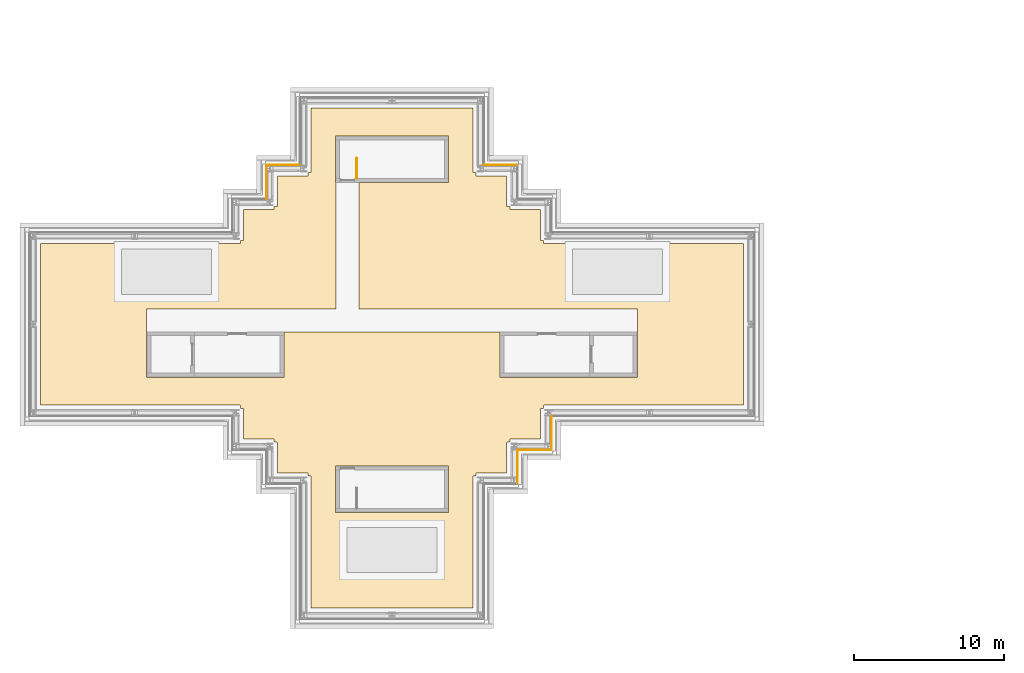
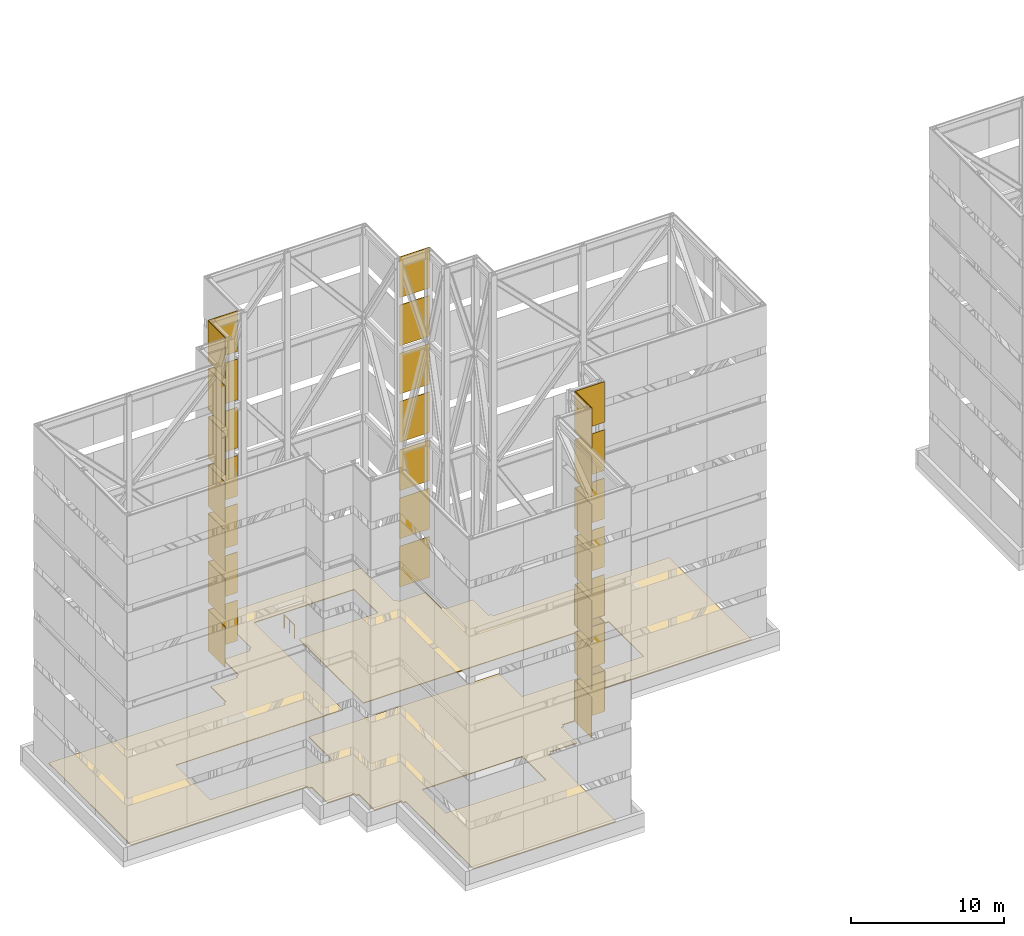
# One storey, part 14 of 19: 38 coverings, 1 railing.
"""IFC4 building model written with IfcOpenShell, lengths in metres."""

from ifc_helpers import new_model, si_unit, direction, frame, origin, origin_2d, place, context, subcontext, project, spatial, polyline, rectangle, circle, outline, extrude, material, layer, layer_set, type_object, element, save


model = new_model("IFC4")

# Units and contexts
model_context = context("Model", 3, precision=1e-05, world=origin(), true_north=direction((0.0, 1.0)))
body_context = subcontext(model_context, "Body", "Model", "MODEL_VIEW")
ifc_project = project(units=[si_unit("LENGTHUNIT", "METRE"), si_unit("AREAUNIT", "SQUARE_METRE"), si_unit("VOLUMEUNIT", "CUBIC_METRE"), si_unit("PLANEANGLEUNIT", "RADIAN"), si_unit("MASSUNIT", "GRAM", prefix="KILO")], contexts=[model_context])

# Site, building, storey
site_placement = place(None, origin())
site = spatial("IfcSite", under=ifc_project, at=site_placement, CompositionType="ELEMENT")
building_placement = place(site_placement, origin())
building = spatial("IfcBuilding", under=site, at=building_placement, Name="Shamsa Quay Exchange Towers", CompositionType="ELEMENT")
storey_placement = place(building_placement, frame((0.0, 0.0, 284.300048828125)))
storey = spatial("IfcBuildingStorey", under=building, at=storey_placement, Name="Roof", CompositionType="ELEMENT", Elevation=284.300048828125)

# Coverings
ifc_material_1 = material(Name="Aluminium EN AW-5083, dark bronze anodised, perforated", Category="aluminium")
ifc_layer_1 = layer(ifc_material_1, 0.0400390625)
ifc_layer_set_1 = layer_set([ifc_layer_1], Name="CROWN SCREEN PANEL 40")
covering_type_1 = type_object("IfcCoveringType", Name="CROWN SCREEN PANEL 40", PredefinedType="CLADDING", material=ifc_layer_set_1)
for number, where, z_axis, x_axis, name in (
    (1, (-25.39697265625, -9.4580078125, 0.60009765625), (0.0, 0.0, 1.0), (0.0, 1.0, 0.0), "SCREEN T1 CR06 tier 1"),
    (2, (-25.39697265625, -9.4580078125, 4.44287109375), (0.0, 0.0, 1.0), (0.0, 1.0, 0.0), "SCREEN T1 CR06 tier 2"),
    (3, (-25.39697265625, -9.4580078125, 8.28564453125), (0.0, 0.0, 1.0), (0.0, 1.0, 0.0), "SCREEN T1 CR06 tier 3"),
    (4, (-25.39697265625, -9.4580078125, 12.12841796875), (0.0, 0.0, 1.0), (0.0, 1.0, 0.0), "SCREEN T1 CR06 tier 4"),
    (5, (-25.39697265625, -9.4580078125, 15.97119140625), (0.0, 0.0, 1.0), (0.0, 1.0, 0.0), "SCREEN T1 CR06 tier 5"),
    (6, (-25.39697265625, -9.4580078125, 19.81396484375), (0.0, 0.0, 1.0), (0.0, 1.0, 0.0), "SCREEN T1 CR06 tier 6"),
    (7, (-25.39697265625, -9.4580078125, 23.6572265625), (0.0, 0.0, 1.0), (0.0, 1.0, 0.0), "SCREEN T1 CR06 tier 7"),
):
    element("IfcCovering", number, at=place(storey_placement, frame(where, z_axis=z_axis, x_axis=x_axis)), inside=storey, type_object=covering_type_1, Name=name, PredefinedType="CLADDING", context=body_context, shape_type="SweptSolid", body=[
        extrude(rectangle(XDim=2.25, YDim=0.0400390625, at=origin_2d()), origin(), (0.0, 0.0, 1.0), 3.242919921875),
    ])
for number, where, name in (
    (8, (-24.27099609375, -8.35302734375, 0.60009765625), "SCREEN T1 CR07 tier 1"),
    (9, (-24.27099609375, -8.35302734375, 4.44287109375), "SCREEN T1 CR07 tier 2"),
    (10, (-24.27099609375, -8.35302734375, 8.28564453125), "SCREEN T1 CR07 tier 3"),
    (11, (-24.27099609375, -8.35302734375, 12.12841796875), "SCREEN T1 CR07 tier 4"),
    (12, (-24.27099609375, -8.35302734375, 15.97119140625), "SCREEN T1 CR07 tier 5"),
    (13, (-24.27099609375, -8.35302734375, 19.81396484375), "SCREEN T1 CR07 tier 6"),
    (14, (-24.27099609375, -8.35302734375, 23.6572265625), "SCREEN T1 CR07 tier 7"),
):
    element("IfcCovering", number, at=place(storey_placement, frame(where)), inside=storey, type_object=covering_type_1, Name=name, PredefinedType="CLADDING", context=body_context, shape_type="SweptSolid", body=[
        extrude(rectangle(XDim=2.2080078125, YDim=0.0400390625, at=origin_2d()), origin(), (0.0, 0.0, 1.0), 3.242919921875),
    ])
for number, where, z_axis, x_axis, name in (
    (15, (-23.14697265625, -7.2080078125, 0.60009765625), (0.0, 0.0, 1.0), (0.0, 1.0, 0.0), "SCREEN T1 CR08 tier 1"),
    (16, (-23.14697265625, -7.2080078125, 4.44287109375), (0.0, 0.0, 1.0), (0.0, 1.0, 0.0), "SCREEN T1 CR08 tier 2"),
    (17, (-26.5419921875, 10.60302734375, 0.60009765625), (0.0, 0.0, 1.0), (-1.0, 0.0, 0.0), "SCREEN T1 CR15 tier 1"),
    (18, (-26.5419921875, 10.60302734375, 4.44287109375), (0.0, 0.0, 1.0), (-1.0, 0.0, 0.0), "SCREEN T1 CR15 tier 2"),
    (19, (-26.5419921875, 10.60302734375, 8.28564453125), (0.0, 0.0, 1.0), (-1.0, 0.0, 0.0), "SCREEN T1 CR15 tier 3"),
    (20, (-26.5419921875, 10.60302734375, 12.12841796875), (0.0, 0.0, 1.0), (-1.0, 0.0, 0.0), "SCREEN T1 CR15 tier 4"),
    (21, (-26.5419921875, 10.60302734375, 15.97119140625), (0.0, 0.0, 1.0), (-1.0, 0.0, 0.0), "SCREEN T1 CR15 tier 5"),
    (22, (-26.5419921875, 10.60302734375, 19.81396484375), (0.0, 0.0, 1.0), (-1.0, 0.0, 0.0), "SCREEN T1 CR15 tier 6"),
    (23, (-26.5419921875, 10.60302734375, 23.6572265625), (0.0, 0.0, 1.0), (-1.0, 0.0, 0.0), "SCREEN T1 CR15 tier 7"),
):
    element("IfcCovering", number, at=place(storey_placement, frame(where, z_axis=z_axis, x_axis=x_axis)), inside=storey, type_object=covering_type_1, Name=name, PredefinedType="CLADDING", context=body_context, shape_type="SweptSolid", body=[
        extrude(rectangle(XDim=2.25, YDim=0.0400390625, at=origin_2d()), origin(), (0.0, 0.0, 1.0), 3.242919921875),
    ])
for number, where, z_axis, x_axis, name in (
    (24, (-40.97900390625, 10.60302734375, 0.60009765625), (0.0, 0.0, 1.0), (-1.0, 0.0, 0.0), "SCREEN T1 CR19 tier 1"),
    (25, (-40.97900390625, 10.60302734375, 4.44287109375), (0.0, 0.0, 1.0), (-1.0, 0.0, 0.0), "SCREEN T1 CR19 tier 2"),
    (26, (-40.97900390625, 10.60302734375, 8.28564453125), (0.0, 0.0, 1.0), (-1.0, 0.0, 0.0), "SCREEN T1 CR19 tier 3"),
    (27, (-40.97900390625, 10.60302734375, 12.12841796875), (0.0, 0.0, 1.0), (-1.0, 0.0, 0.0), "SCREEN T1 CR19 tier 4"),
    (28, (-40.97900390625, 10.60302734375, 15.97119140625), (0.0, 0.0, 1.0), (-1.0, 0.0, 0.0), "SCREEN T1 CR19 tier 5"),
    (29, (-40.97900390625, 10.60302734375, 19.81396484375), (0.0, 0.0, 1.0), (-1.0, 0.0, 0.0), "SCREEN T1 CR19 tier 6"),
    (30, (-40.97900390625, 10.60302734375, 23.6572265625), (0.0, 0.0, 1.0), (-1.0, 0.0, 0.0), "SCREEN T1 CR19 tier 7"),
):
    element("IfcCovering", number, at=place(storey_placement, frame(where, z_axis=z_axis, x_axis=x_axis)), inside=storey, type_object=covering_type_1, Name=name, PredefinedType="CLADDING", context=body_context, shape_type="SweptSolid", body=[
        extrude(rectangle(XDim=2.2080078125, YDim=0.0400390625, at=origin_2d()), origin(), (0.0, 0.0, 1.0), 3.242919921875),
    ])
for number, where, z_axis, x_axis, name in (
    (31, (-42.10302734375, 9.4580078125, 0.60009765625), (0.0, 0.0, 1.0), (0.0, -1.0, 0.0), "SCREEN T1 CR20 tier 1"),
    (32, (-42.10302734375, 9.4580078125, 4.44287109375), (0.0, 0.0, 1.0), (0.0, -1.0, 0.0), "SCREEN T1 CR20 tier 2"),
    (33, (-42.10302734375, 9.4580078125, 8.28564453125), (0.0, 0.0, 1.0), (0.0, -1.0, 0.0), "SCREEN T1 CR20 tier 3"),
    (34, (-42.10302734375, 9.4580078125, 12.12841796875), (0.0, 0.0, 1.0), (0.0, -1.0, 0.0), "SCREEN T1 CR20 tier 4"),
    (35, (-42.10302734375, 9.4580078125, 15.97119140625), (0.0, 0.0, 1.0), (0.0, -1.0, 0.0), "SCREEN T1 CR20 tier 5"),
    (36, (-42.10302734375, 9.4580078125, 19.81396484375), (0.0, 0.0, 1.0), (0.0, -1.0, 0.0), "SCREEN T1 CR20 tier 6"),
    (37, (-42.10302734375, 9.4580078125, 23.6572265625), (0.0, 0.0, 1.0), (0.0, -1.0, 0.0), "SCREEN T1 CR20 tier 7"),
):
    element("IfcCovering", number, at=place(storey_placement, frame(where, z_axis=z_axis, x_axis=x_axis)), inside=storey, type_object=covering_type_1, Name=name, PredefinedType="CLADDING", context=body_context, shape_type="SweptSolid", body=[
        extrude(rectangle(XDim=2.25, YDim=0.0400390625, at=origin_2d()), origin(), (0.0, 0.0, 1.0), 3.242919921875),
    ])
ifc_material_2 = material(Name="Bituminous waterproofing membrane with ballast")
ifc_layer_2 = layer(ifc_material_2, 0.06005859375)
ifc_layer_set_2 = layer_set([ifc_layer_2], Name="ROOF MEMBRANE 60")
covering_type_2 = type_object("IfcCoveringType", Name="ROOF MEMBRANE 60", PredefinedType="ROOFING", material=ifc_layer_set_2)
covering_placement = place(storey_placement, origin())
element("IfcCovering", 38, at=covering_placement, inside=storey, type_object=covering_type_2, Name="Roof membrane T1 2", PredefinedType="ROOFING", context=body_context, shape_type="SweptSolid", body=[
    extrude(outline(polyline([(-43.8544921875, -5.38134765625), (-50.6044921875, -5.38134765625), (-51.1455078125, -5.38134765625), (-57.13134765625, -5.38134765625), (-57.13134765625, -0.265625), (-57.13134765625, 0.265625), (-57.13134765625, 5.38134765625), (-51.1455078125, 5.38134765625), (-50.6044921875, 5.38134765625), (-43.8544921875, 5.38134765625), (-43.8525390625, 5.381591796875), (-43.8505859375, 5.3818359375), (-43.8486328125, 5.38232421875), (-43.846923828125, 5.3828125), (-43.84521484375, 5.3837890625), (-43.843505859375, 5.384765625), (-43.841796875, 5.385986328125), (-43.84033203125, 5.38720703125), (-43.839111328125, 5.388671875), (-43.837890625, 5.390380859375), (-43.8369140625, 5.39208984375), (-43.836181640625, 5.393798828125), (-43.83544921875, 5.3955078125), (-43.8349609375, 5.3974609375), (-43.834716796875, 5.3994140625), (-43.83447265625, 5.4013671875), (-43.83447265625, 5.58935546875), (-43.6513671875, 5.58935546875), (-43.6494140625, 5.589599609375), (-43.6474609375, 5.58984375), (-43.6455078125, 5.59033203125), (-43.643798828125, 5.591064453125), (-43.64208984375, 5.591796875), (-43.640380859375, 5.5927734375), (-43.638671875, 5.593994140625), (-43.63720703125, 5.59521484375), (-43.635986328125, 5.5966796875), (-43.634765625, 5.598388671875), (-43.6337890625, 5.60009765625), (-43.6328125, 5.601806640625), (-43.63232421875, 5.603759765625), (-43.6318359375, 5.60546875), (-43.631591796875, 5.607421875), (-43.63134765625, 5.609375), (-43.63134765625, 7.63134765625), (-41.6044921875, 7.63134765625), (-41.6025390625, 7.631591796875), (-41.6005859375, 7.6318359375), (-41.5986328125, 7.63232421875), (-41.596923828125, 7.6328125), (-41.59521484375, 7.6337890625), (-41.593505859375, 7.634765625), (-41.591796875, 7.635986328125), (-41.59033203125, 7.63720703125), (-41.589111328125, 7.638671875), (-41.587890625, 7.640380859375), (-41.5869140625, 7.64208984375), (-41.586181640625, 7.643798828125), (-41.58544921875, 7.6455078125), (-41.5849609375, 7.6474609375), (-41.584716796875, 7.6494140625), (-41.58447265625, 7.6513671875), (-41.58447265625, 7.83935546875), (-41.4013671875, 7.83935546875), (-41.3994140625, 7.839599609375), (-41.3974609375, 7.83984375), (-41.3955078125, 7.84033203125), (-41.393798828125, 7.841064453125), (-41.39208984375, 7.841796875), (-41.390380859375, 7.8427734375), (-41.388671875, 7.843994140625), (-41.38720703125, 7.84521484375), (-41.385986328125, 7.8466796875), (-41.384765625, 7.848388671875), (-41.3837890625, 7.85009765625), (-41.3828125, 7.851806640625), (-41.38232421875, 7.853759765625), (-41.3818359375, 7.85546875), (-41.381591796875, 7.857421875), (-41.38134765625, 7.859375), (-41.38134765625, 9.88134765625), (-39.3544921875, 9.88134765625), (-39.3525390625, 9.881591796875), (-39.3505859375, 9.8818359375), (-39.3486328125, 9.88232421875), (-39.346923828125, 9.8828125), (-39.34521484375, 9.8837890625), (-39.343505859375, 9.884765625), (-39.341796875, 9.885986328125), (-39.34033203125, 9.88720703125), (-39.339111328125, 9.888671875), (-39.337890625, 9.890380859375), (-39.3369140625, 9.89208984375), (-39.336181640625, 9.893798828125), (-39.33544921875, 9.8955078125), (-39.3349609375, 9.8974609375), (-39.334716796875, 9.8994140625), (-39.33447265625, 9.9013671875), (-39.33447265625, 10.08935546875), (-39.1513671875, 10.08935546875), (-39.1494140625, 10.089599609375), (-39.1474609375, 10.08984375), (-39.1455078125, 10.09033203125), (-39.143798828125, 10.091064453125), (-39.14208984375, 10.091796875), (-39.140380859375, 10.0927734375), (-39.138671875, 10.093994140625), (-39.13720703125, 10.09521484375), (-39.135986328125, 10.0966796875), (-39.134765625, 10.098388671875), (-39.1337890625, 10.10009765625), (-39.1328125, 10.101806640625), (-39.13232421875, 10.103759765625), (-39.1318359375, 10.10546875), (-39.131591796875, 10.107421875), (-39.13134765625, 10.109375), (-39.13134765625, 14.38134765625), (-34.0205078125, 14.38134765625), (-33.4794921875, 14.38134765625), (-28.36865234375, 14.38134765625), (-28.36865234375, 10.109375), (-28.368408203125, 10.107421875), (-28.3681640625, 10.10546875), (-28.36767578125, 10.103759765625), (-28.3671875, 10.101806640625), (-28.3662109375, 10.10009765625), (-28.365234375, 10.098388671875), (-28.364013671875, 10.0966796875), (-28.36279296875, 10.09521484375), (-28.361328125, 10.093994140625), (-28.359619140625, 10.0927734375), (-28.35791015625, 10.091796875), (-28.356201171875, 10.091064453125), (-28.3544921875, 10.09033203125), (-28.3525390625, 10.08984375), (-28.3505859375, 10.089599609375), (-28.3486328125, 10.08935546875), (-28.16552734375, 10.08935546875), (-28.16552734375, 9.9013671875), (-28.165283203125, 9.8994140625), (-28.1650390625, 9.8974609375), (-28.16455078125, 9.8955078125), (-28.163818359375, 9.893798828125), (-28.1630859375, 9.89208984375), (-28.162109375, 9.890380859375), (-28.160888671875, 9.888671875), (-28.15966796875, 9.88720703125), (-28.158203125, 9.885986328125), (-28.156494140625, 9.884765625), (-28.15478515625, 9.8837890625), (-28.153076171875, 9.8828125), (-28.1513671875, 9.88232421875), (-28.1494140625, 9.8818359375), (-28.1474609375, 9.881591796875), (-28.1455078125, 9.88134765625), (-26.11865234375, 9.88134765625), (-26.11865234375, 7.859375), (-26.118408203125, 7.857421875), (-26.1181640625, 7.85546875), (-26.11767578125, 7.853759765625), (-26.1171875, 7.851806640625), (-26.1162109375, 7.85009765625), (-26.115234375, 7.848388671875), (-26.114013671875, 7.8466796875), (-26.11279296875, 7.84521484375), (-26.111328125, 7.843994140625), (-26.109619140625, 7.8427734375), (-26.10791015625, 7.841796875), (-26.106201171875, 7.841064453125), (-26.1044921875, 7.84033203125), (-26.1025390625, 7.83984375), (-26.1005859375, 7.839599609375), (-26.0986328125, 7.83935546875), (-25.91552734375, 7.83935546875), (-25.91552734375, 7.6513671875), (-25.915283203125, 7.6494140625), (-25.9150390625, 7.6474609375), (-25.91455078125, 7.6455078125), (-25.913818359375, 7.643798828125), (-25.9130859375, 7.64208984375), (-25.912109375, 7.640380859375), (-25.910888671875, 7.638671875), (-25.90966796875, 7.63720703125), (-25.908203125, 7.635986328125), (-25.906494140625, 7.634765625), (-25.90478515625, 7.6337890625), (-25.903076171875, 7.6328125), (-25.9013671875, 7.63232421875), (-25.8994140625, 7.6318359375), (-25.8974609375, 7.631591796875), (-25.8955078125, 7.63134765625), (-23.86865234375, 7.63134765625), (-23.86865234375, 5.609375), (-23.868408203125, 5.607421875), (-23.8681640625, 5.60546875), (-23.86767578125, 5.603759765625), (-23.8671875, 5.601806640625), (-23.8662109375, 5.60009765625), (-23.865234375, 5.598388671875), (-23.864013671875, 5.5966796875), (-23.86279296875, 5.59521484375), (-23.861328125, 5.593994140625), (-23.859619140625, 5.5927734375), (-23.85791015625, 5.591796875), (-23.856201171875, 5.591064453125), (-23.8544921875, 5.59033203125), (-23.8525390625, 5.58984375), (-23.8505859375, 5.589599609375), (-23.8486328125, 5.58935546875), (-23.66552734375, 5.58935546875), (-23.66552734375, 5.4013671875), (-23.665283203125, 5.3994140625), (-23.6650390625, 5.3974609375), (-23.66455078125, 5.3955078125), (-23.663818359375, 5.393798828125), (-23.6630859375, 5.39208984375), (-23.662109375, 5.390380859375), (-23.660888671875, 5.388671875), (-23.65966796875, 5.38720703125), (-23.658203125, 5.385986328125), (-23.656494140625, 5.384765625), (-23.65478515625, 5.3837890625), (-23.653076171875, 5.3828125), (-23.6513671875, 5.38232421875), (-23.6494140625, 5.3818359375), (-23.6474609375, 5.381591796875), (-23.6455078125, 5.38134765625), (-16.8955078125, 5.38134765625), (-16.3544921875, 5.38134765625), (-10.36865234375, 5.38134765625), (-10.36865234375, 0.265625), (-10.36865234375, -0.265625), (-10.36865234375, -5.38134765625), (-16.3544921875, -5.38134765625), (-16.8955078125, -5.38134765625), (-23.6455078125, -5.38134765625), (-23.6474609375, -5.381591796875), (-23.6494140625, -5.3818359375), (-23.6513671875, -5.38232421875), (-23.653076171875, -5.3828125), (-23.65478515625, -5.3837890625), (-23.656494140625, -5.384765625), (-23.658203125, -5.385986328125), (-23.65966796875, -5.38720703125), (-23.660888671875, -5.388671875), (-23.662109375, -5.390380859375), (-23.6630859375, -5.39208984375), (-23.663818359375, -5.393798828125), (-23.66455078125, -5.3955078125), (-23.6650390625, -5.3974609375), (-23.665283203125, -5.3994140625), (-23.66552734375, -5.4013671875), (-23.66552734375, -5.58935546875), (-23.8486328125, -5.58935546875), (-23.8505859375, -5.589599609375), (-23.8525390625, -5.58984375), (-23.8544921875, -5.59033203125), (-23.856201171875, -5.591064453125), (-23.85791015625, -5.591796875), (-23.859619140625, -5.5927734375), (-23.861328125, -5.593994140625), (-23.86279296875, -5.59521484375), (-23.864013671875, -5.5966796875), (-23.865234375, -5.598388671875), (-23.8662109375, -5.60009765625), (-23.8671875, -5.601806640625), (-23.86767578125, -5.603759765625), (-23.8681640625, -5.60546875), (-23.868408203125, -5.607421875), (-23.86865234375, -5.609375), (-23.86865234375, -7.63134765625), (-25.8955078125, -7.63134765625), (-25.8974609375, -7.631591796875), (-25.8994140625, -7.6318359375), (-25.9013671875, -7.63232421875), (-25.903076171875, -7.6328125), (-25.90478515625, -7.6337890625), (-25.906494140625, -7.634765625), (-25.908203125, -7.635986328125), (-25.90966796875, -7.63720703125), (-25.910888671875, -7.638671875), (-25.912109375, -7.640380859375), (-25.9130859375, -7.64208984375), (-25.913818359375, -7.643798828125), (-25.91455078125, -7.6455078125), (-25.9150390625, -7.6474609375), (-25.915283203125, -7.6494140625), (-25.91552734375, -7.6513671875), (-25.91552734375, -7.83935546875), (-26.0986328125, -7.83935546875), (-26.1005859375, -7.839599609375), (-26.1025390625, -7.83984375), (-26.1044921875, -7.84033203125), (-26.106201171875, -7.841064453125), (-26.10791015625, -7.841796875), (-26.109619140625, -7.8427734375), (-26.111328125, -7.843994140625), (-26.11279296875, -7.84521484375), (-26.114013671875, -7.8466796875), (-26.115234375, -7.848388671875), (-26.1162109375, -7.85009765625), (-26.1171875, -7.851806640625), (-26.11767578125, -7.853759765625), (-26.1181640625, -7.85546875), (-26.118408203125, -7.857421875), (-26.11865234375, -7.859375), (-26.11865234375, -9.88134765625), (-28.1455078125, -9.88134765625), (-28.1474609375, -9.881591796875), (-28.1494140625, -9.8818359375), (-28.1513671875, -9.88232421875), (-28.153076171875, -9.8828125), (-28.15478515625, -9.8837890625), (-28.156494140625, -9.884765625), (-28.158203125, -9.885986328125), (-28.15966796875, -9.88720703125), (-28.160888671875, -9.888671875), (-28.162109375, -9.890380859375), (-28.1630859375, -9.89208984375), (-28.163818359375, -9.893798828125), (-28.16455078125, -9.8955078125), (-28.1650390625, -9.8974609375), (-28.165283203125, -9.8994140625), (-28.16552734375, -9.9013671875), (-28.16552734375, -10.08935546875), (-28.3486328125, -10.08935546875), (-28.3505859375, -10.089599609375), (-28.3525390625, -10.08984375), (-28.3544921875, -10.09033203125), (-28.356201171875, -10.091064453125), (-28.35791015625, -10.091796875), (-28.359619140625, -10.0927734375), (-28.361328125, -10.093994140625), (-28.36279296875, -10.09521484375), (-28.364013671875, -10.0966796875), (-28.365234375, -10.098388671875), (-28.3662109375, -10.10009765625), (-28.3671875, -10.101806640625), (-28.36767578125, -10.103759765625), (-28.3681640625, -10.10546875), (-28.368408203125, -10.107421875), (-28.36865234375, -10.109375), (-28.36865234375, -18.88134765625), (-33.4794921875, -18.88134765625), (-34.0205078125, -18.88134765625), (-39.13134765625, -18.88134765625), (-39.13134765625, -10.109375), (-39.131591796875, -10.107421875), (-39.1318359375, -10.10546875), (-39.13232421875, -10.103759765625), (-39.1328125, -10.101806640625), (-39.1337890625, -10.10009765625), (-39.134765625, -10.098388671875), (-39.135986328125, -10.0966796875), (-39.13720703125, -10.09521484375), (-39.138671875, -10.093994140625), (-39.140380859375, -10.0927734375), (-39.14208984375, -10.091796875), (-39.143798828125, -10.091064453125), (-39.1455078125, -10.09033203125), (-39.1474609375, -10.08984375), (-39.1494140625, -10.089599609375), (-39.1513671875, -10.08935546875), (-39.33447265625, -10.08935546875), (-39.33447265625, -9.9013671875), (-39.334716796875, -9.8994140625), (-39.3349609375, -9.8974609375), (-39.33544921875, -9.8955078125), (-39.336181640625, -9.893798828125), (-39.3369140625, -9.89208984375), (-39.337890625, -9.890380859375), (-39.339111328125, -9.888671875), (-39.34033203125, -9.88720703125), (-39.341796875, -9.885986328125), (-39.343505859375, -9.884765625), (-39.34521484375, -9.8837890625), (-39.346923828125, -9.8828125), (-39.3486328125, -9.88232421875), (-39.3505859375, -9.8818359375), (-39.3525390625, -9.881591796875), (-39.3544921875, -9.88134765625), (-41.38134765625, -9.88134765625), (-41.38134765625, -7.859375), (-41.381591796875, -7.857421875), (-41.3818359375, -7.85546875), (-41.38232421875, -7.853759765625), (-41.3828125, -7.851806640625), (-41.3837890625, -7.85009765625), (-41.384765625, -7.848388671875), (-41.385986328125, -7.8466796875), (-41.38720703125, -7.84521484375), (-41.388671875, -7.843994140625), (-41.390380859375, -7.8427734375), (-41.39208984375, -7.841796875), (-41.393798828125, -7.841064453125), (-41.3955078125, -7.84033203125), (-41.3974609375, -7.83984375), (-41.3994140625, -7.839599609375), (-41.4013671875, -7.83935546875), (-41.58447265625, -7.83935546875), (-41.58447265625, -7.6513671875), (-41.584716796875, -7.6494140625), (-41.5849609375, -7.6474609375), (-41.58544921875, -7.6455078125), (-41.586181640625, -7.643798828125), (-41.5869140625, -7.64208984375), (-41.587890625, -7.640380859375), (-41.589111328125, -7.638671875), (-41.59033203125, -7.63720703125), (-41.591796875, -7.635986328125), (-41.593505859375, -7.634765625), (-41.59521484375, -7.6337890625), (-41.596923828125, -7.6328125), (-41.5986328125, -7.63232421875), (-41.6005859375, -7.6318359375), (-41.6025390625, -7.631591796875), (-41.6044921875, -7.63134765625), (-43.63134765625, -7.63134765625), (-43.63134765625, -5.609375), (-43.631591796875, -5.607421875), (-43.6318359375, -5.60546875), (-43.63232421875, -5.603759765625), (-43.6328125, -5.601806640625), (-43.6337890625, -5.60009765625), (-43.634765625, -5.598388671875), (-43.635986328125, -5.5966796875), (-43.63720703125, -5.59521484375), (-43.638671875, -5.593994140625), (-43.640380859375, -5.5927734375), (-43.64208984375, -5.591796875), (-43.643798828125, -5.591064453125), (-43.6455078125, -5.59033203125), (-43.6474609375, -5.58984375), (-43.6494140625, -5.589599609375), (-43.6513671875, -5.58935546875), (-43.83447265625, -5.58935546875), (-43.83447265625, -5.4013671875), (-43.834716796875, -5.3994140625), (-43.8349609375, -5.3974609375), (-43.83544921875, -5.3955078125), (-43.836181640625, -5.393798828125), (-43.8369140625, -5.39208984375), (-43.837890625, -5.390380859375), (-43.839111328125, -5.388671875), (-43.84033203125, -5.38720703125), (-43.841796875, -5.385986328125), (-43.843505859375, -5.384765625), (-43.84521484375, -5.3837890625), (-43.846923828125, -5.3828125), (-43.8486328125, -5.38232421875), (-43.8505859375, -5.3818359375), (-43.8525390625, -5.381591796875), (-43.8544921875, -5.38134765625)]), holes=[polyline([(-29.998046875, 12.52001953125), (-30.0, 12.52001953125), (-37.5, 12.52001953125), (-37.501953125, 12.52001953125), (-37.50390625, 12.51953125), (-37.505859375, 12.51904296875), (-37.507568359375, 12.5185546875), (-37.509521484375, 12.517578125), (-37.51123046875, 12.5166015625), (-37.5126953125, 12.515380859375), (-37.51416015625, 12.51416015625), (-37.515380859375, 12.5126953125), (-37.5166015625, 12.51123046875), (-37.517578125, 12.509521484375), (-37.5185546875, 12.507568359375), (-37.51904296875, 12.505859375), (-37.51953125, 12.50390625), (-37.52001953125, 12.501953125), (-37.52001953125, 12.5), (-37.52001953125, 9.449951171875), (-37.52001953125, 9.447998046875), (-37.51953125, 9.446044921875), (-37.51904296875, 9.444091796875), (-37.5185546875, 9.4423828125), (-37.517578125, 9.440673828125), (-37.5166015625, 9.43896484375), (-37.515380859375, 9.437255859375), (-37.51416015625, 9.435791015625), (-37.5126953125, 9.4345703125), (-37.51123046875, 9.433349609375), (-37.509521484375, 9.432373046875), (-37.507568359375, 9.431640625), (-37.505859375, 9.430908203125), (-37.50390625, 9.430419921875), (-37.501953125, 9.43017578125), (-37.5, 9.429931640625), (-37.469970703125, 9.429931640625), (-37.469970703125, 1.02001953125), (-40.949951171875, 1.02001953125), (-44.800048828125, 1.02001953125), (-50.050048828125, 1.02001953125), (-50.052001953125, 1.02001953125), (-50.053955078125, 1.01953125), (-50.055908203125, 1.01904296875), (-50.0576171875, 1.0185546875), (-50.059326171875, 1.017578125), (-50.06103515625, 1.0166015625), (-50.062744140625, 1.015380859375), (-50.064208984375, 1.01416015625), (-50.0654296875, 1.0126953125), (-50.066650390625, 1.01123046875), (-50.067626953125, 1.009521484375), (-50.068359375, 1.007568359375), (-50.069091796875, 1.005859375), (-50.069580078125, 1.00390625), (-50.06982421875, 1.001953125), (-50.070068359375, 1.0), (-50.070068359375, -0.5), (-50.070068359375, -3.5), (-50.06982421875, -3.501953125), (-50.069580078125, -3.50390625), (-50.069091796875, -3.505859375), (-50.068359375, -3.507568359375), (-50.067626953125, -3.509521484375), (-50.066650390625, -3.51123046875), (-50.0654296875, -3.5126953125), (-50.064208984375, -3.51416015625), (-50.062744140625, -3.515380859375), (-50.06103515625, -3.5166015625), (-50.059326171875, -3.517578125), (-50.0576171875, -3.5185546875), (-50.055908203125, -3.51904296875), (-50.053955078125, -3.51953125), (-50.052001953125, -3.52001953125), (-50.050048828125, -3.52001953125), (-40.949951171875, -3.52001953125), (-40.947998046875, -3.52001953125), (-40.946044921875, -3.51953125), (-40.944091796875, -3.51904296875), (-40.9423828125, -3.5185546875), (-40.940673828125, -3.517578125), (-40.93896484375, -3.5166015625), (-40.937255859375, -3.515380859375), (-40.935791015625, -3.51416015625), (-40.9345703125, -3.5126953125), (-40.933349609375, -3.51123046875), (-40.932373046875, -3.509521484375), (-40.931640625, -3.507568359375), (-40.930908203125, -3.505859375), (-40.930419921875, -3.50390625), (-40.93017578125, -3.501953125), (-40.929931640625, -3.5), (-40.929931640625, -0.52001953125), (-26.570068359375, -0.52001953125), (-26.570068359375, -3.5), (-26.56982421875, -3.501953125), (-26.569580078125, -3.50390625), (-26.569091796875, -3.505859375), (-26.568359375, -3.507568359375), (-26.567626953125, -3.509521484375), (-26.566650390625, -3.51123046875), (-26.5654296875, -3.5126953125), (-26.564208984375, -3.51416015625), (-26.562744140625, -3.515380859375), (-26.56103515625, -3.5166015625), (-26.559326171875, -3.517578125), (-26.5576171875, -3.5185546875), (-26.555908203125, -3.51904296875), (-26.553955078125, -3.51953125), (-26.552001953125, -3.52001953125), (-26.550048828125, -3.52001953125), (-17.449951171875, -3.52001953125), (-17.447998046875, -3.52001953125), (-17.446044921875, -3.51953125), (-17.444091796875, -3.51904296875), (-17.4423828125, -3.5185546875), (-17.440673828125, -3.517578125), (-17.43896484375, -3.5166015625), (-17.437255859375, -3.515380859375), (-17.435791015625, -3.51416015625), (-17.4345703125, -3.5126953125), (-17.433349609375, -3.51123046875), (-17.432373046875, -3.509521484375), (-17.431640625, -3.507568359375), (-17.430908203125, -3.505859375), (-17.430419921875, -3.50390625), (-17.43017578125, -3.501953125), (-17.429931640625, -3.5), (-17.429931640625, -0.5), (-17.429931640625, 1.0), (-17.43017578125, 1.001953125), (-17.430419921875, 1.00390625), (-17.430908203125, 1.005859375), (-17.431640625, 1.007568359375), (-17.432373046875, 1.009521484375), (-17.433349609375, 1.01123046875), (-17.4345703125, 1.0126953125), (-17.435791015625, 1.01416015625), (-17.437255859375, 1.015380859375), (-17.43896484375, 1.0166015625), (-17.440673828125, 1.017578125), (-17.4423828125, 1.0185546875), (-17.444091796875, 1.01904296875), (-17.446044921875, 1.01953125), (-17.447998046875, 1.02001953125), (-17.449951171875, 1.02001953125), (-22.699951171875, 1.02001953125), (-26.550048828125, 1.02001953125), (-35.929931640625, 1.02001953125), (-35.929931640625, 9.429931640625), (-30.0, 9.429931640625), (-29.998046875, 9.43017578125), (-29.99609375, 9.430419921875), (-29.994140625, 9.430908203125), (-29.992431640625, 9.431640625), (-29.990478515625, 9.432373046875), (-29.98876953125, 9.433349609375), (-29.9873046875, 9.4345703125), (-29.98583984375, 9.435791015625), (-29.984619140625, 9.437255859375), (-29.9833984375, 9.43896484375), (-29.982421875, 9.440673828125), (-29.9814453125, 9.4423828125), (-29.98095703125, 9.444091796875), (-29.98046875, 9.446044921875), (-29.97998046875, 9.447998046875), (-29.97998046875, 9.449951171875), (-29.97998046875, 12.5), (-29.97998046875, 12.501953125), (-29.98046875, 12.50390625), (-29.98095703125, 12.505859375), (-29.9814453125, 12.507568359375), (-29.982421875, 12.509521484375), (-29.9833984375, 12.51123046875), (-29.984619140625, 12.5126953125), (-29.98583984375, 12.51416015625), (-29.9873046875, 12.515380859375), (-29.98876953125, 12.5166015625), (-29.990478515625, 12.517578125), (-29.992431640625, 12.5185546875), (-29.994140625, 12.51904296875), (-29.99609375, 12.51953125), (-29.998046875, 12.52001953125)]), polyline([(-29.99609375, -9.430419921875), (-29.998046875, -9.43017578125), (-30.0, -9.429931640625), (-37.5, -9.429931640625), (-37.501953125, -9.43017578125), (-37.50390625, -9.430419921875), (-37.505859375, -9.430908203125), (-37.507568359375, -9.431640625), (-37.509521484375, -9.432373046875), (-37.51123046875, -9.433349609375), (-37.5126953125, -9.4345703125), (-37.51416015625, -9.435791015625), (-37.515380859375, -9.437255859375), (-37.5166015625, -9.43896484375), (-37.517578125, -9.440673828125), (-37.5185546875, -9.4423828125), (-37.51904296875, -9.444091796875), (-37.51953125, -9.446044921875), (-37.52001953125, -9.447998046875), (-37.52001953125, -9.449951171875), (-37.52001953125, -12.5), (-37.52001953125, -12.501953125), (-37.51953125, -12.50390625), (-37.51904296875, -12.505859375), (-37.5185546875, -12.507568359375), (-37.517578125, -12.509521484375), (-37.5166015625, -12.51123046875), (-37.515380859375, -12.5126953125), (-37.51416015625, -12.51416015625), (-37.5126953125, -12.515380859375), (-37.51123046875, -12.5166015625), (-37.509521484375, -12.517578125), (-37.507568359375, -12.5185546875), (-37.505859375, -12.51904296875), (-37.50390625, -12.51953125), (-37.501953125, -12.52001953125), (-37.5, -12.52001953125), (-30.0, -12.52001953125), (-29.998046875, -12.52001953125), (-29.99609375, -12.51953125), (-29.994140625, -12.51904296875), (-29.992431640625, -12.5185546875), (-29.990478515625, -12.517578125), (-29.98876953125, -12.5166015625), (-29.9873046875, -12.515380859375), (-29.98583984375, -12.51416015625), (-29.984619140625, -12.5126953125), (-29.9833984375, -12.51123046875), (-29.982421875, -12.509521484375), (-29.9814453125, -12.507568359375), (-29.98095703125, -12.505859375), (-29.98046875, -12.50390625), (-29.97998046875, -12.501953125), (-29.97998046875, -12.5), (-29.97998046875, -9.449951171875), (-29.97998046875, -9.447998046875), (-29.98046875, -9.446044921875), (-29.98095703125, -9.444091796875), (-29.9814453125, -9.4423828125), (-29.982421875, -9.440673828125), (-29.9833984375, -9.43896484375), (-29.984619140625, -9.437255859375), (-29.98583984375, -9.435791015625), (-29.9873046875, -9.4345703125), (-29.98876953125, -9.433349609375), (-29.990478515625, -9.432373046875), (-29.992431640625, -9.431640625), (-29.994140625, -9.430908203125), (-29.99609375, -9.430419921875)])]), origin(), (0.0, 0.0, 1.0), 0.06005859375),
])

# Railing
ifc_material_3 = material(Name="Stainless steel", Category="steel")
railing_type = type_object("IfcRailingType", Name="STAIR GUARD 1100", PredefinedType="GUARDRAIL", material=ifc_material_3)
railing_placement = place(storey_placement, frame((-36.10009765625, 9.699951171875, 0.0)))
element("IfcRailing", 39, at=railing_placement, inside=storey, type_object=railing_type, Name="Roof RS1 top well guard 1", PredefinedType="GUARDRAIL", context=body_context, shape_type="SweptSolid", body=[
    extrude(circle(Radius=0.02392578125, at=origin_2d()), frame((0.0, 0.0, 1.076171875), z_axis=(0.0, 1.0, 0.0), x_axis=(-1.0, 0.0, 0.0)), (0.0, 0.0, 1.0), 1.35009765625),
    extrude(circle(Radius=0.02099609375, at=origin_2d()), origin(), (0.0, 0.0, 1.0), 1.052001953125),
    extrude(circle(Radius=0.02099609375, at=origin_2d()), frame((0.0, 0.675048828125, 0.0)), (0.0, 0.0, 1.0), 1.052001953125),
    extrude(circle(Radius=0.02099609375, at=origin_2d()), frame((0.0, 1.35009765625, 0.0)), (0.0, 0.0, 1.0), 1.052001953125),
])

save(model, "model.ifc")
